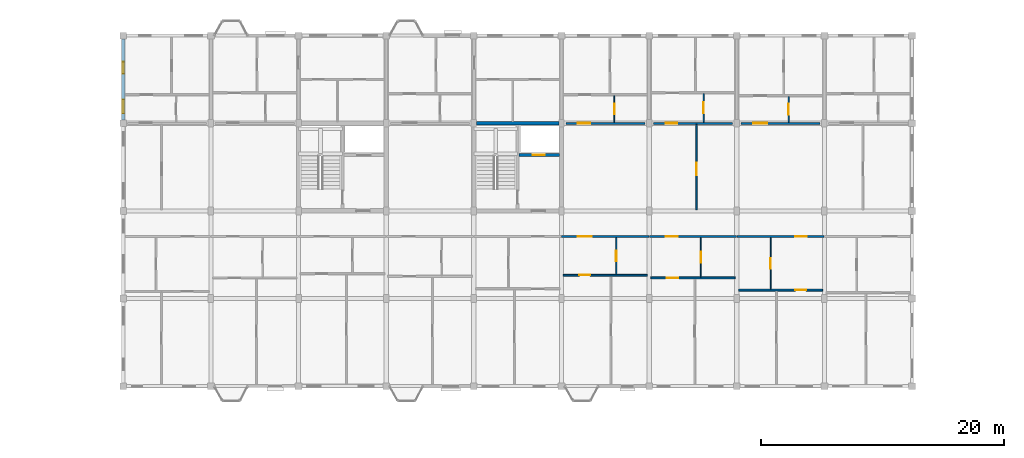
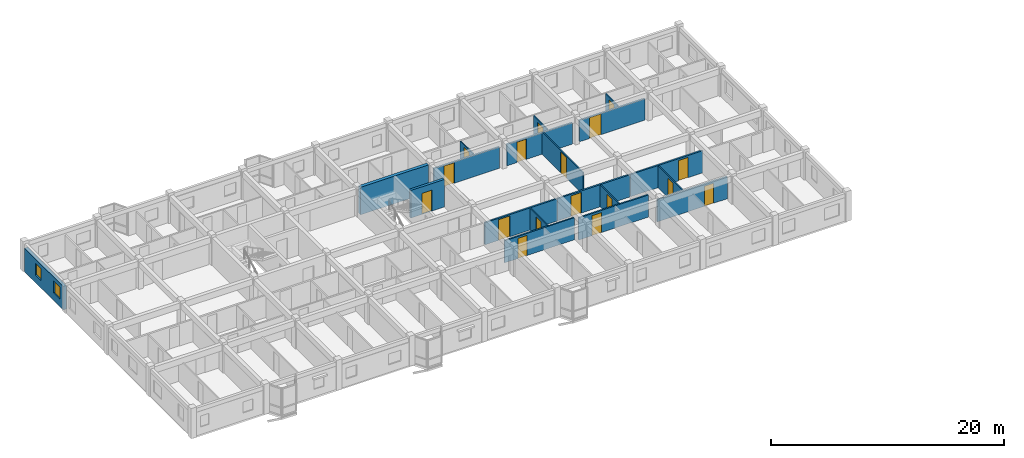
# One storey, part 68 of 77: 19 walls, 17 doors, 2 windows, 19 openings.
"""IFC4 building model written with IfcOpenShell, lengths in metres."""

from ifc_helpers import new_model, si_unit, direction, frame, frame_2d, origin, place, context, subcontext, project, spatial, rectangle, extrude, material, layer, layer_set, type_object, element, fill, save


model = new_model("IFC4")

# Units and contexts
model_context = context("Model", 3, precision=1e-05, world=origin(), true_north=direction((0.0, 1.0)))
body_context = subcontext(model_context, "Body", "Model", "MODEL_VIEW")
ifc_project = project(units=[si_unit("LENGTHUNIT", "METRE"), si_unit("AREAUNIT", "SQUARE_METRE"), si_unit("VOLUMEUNIT", "CUBIC_METRE"), si_unit("PLANEANGLEUNIT", "RADIAN"), si_unit("MASSUNIT", "GRAM", prefix="KILO"), si_unit("THERMODYNAMICTEMPERATUREUNIT", "KELVIN"), si_unit("POWERUNIT", "WATT")], contexts=[model_context])

# Site, building, storey
site_placement = place(None, origin())
site = spatial("IfcSite", under=ifc_project, at=site_placement, CompositionType="ELEMENT")
building_placement = place(site_placement, origin())
building = spatial("IfcBuilding", under=site, at=building_placement, Name="Tavuni Mirador Residences", CompositionType="ELEMENT")
storey_placement = place(building_placement, frame((0.0, 0.0, 17.10009765625)))
storey = spatial("IfcBuildingStorey", under=building, at=storey_placement, Name="L05", CompositionType="ELEMENT", Elevation=17.10009765625)

# Wall, opening, door
ifc_material_1 = material(Name="Precast concrete C40/50", Category="concrete")
ifc_layer_1 = layer(ifc_material_1, 0.25, Name="Precast concrete C40/50", Category="concrete")
ifc_layer_set_1 = layer_set([ifc_layer_1], Name="Precast concrete C40/50")
wall_type_1 = type_object("IfcWallType", Name="WT-COR250", PredefinedType="SHEAR", material=ifc_layer_set_1)
wall_1_placement = place(storey_placement, frame((43.324951171875, 163.0, 0.0), z_axis=(0.0, 0.0, 1.0), x_axis=(1.0, 0.0, 0.0)))
wall_1 = element("IfcWall", 1, at=wall_1_placement, inside=storey, type_object=wall_type_1, Name="CWALL-C6-L05-SHF", PredefinedType="SHEAR", context=body_context, shape_type="SweptSolid", body=[
    extrude(rectangle(XDim=3.31494140625, YDim=0.25, at=frame_2d((1.657470703125, 0.0))), origin(), (0.0, 0.0, 1.0), 2.885009765625),
])
opening_1_placement = place(wall_1_placement, frame((1.10009765625, 0.0, 0.0)))
opening_1 = element("IfcOpeningElement", 2, at=opening_1_placement, cuts=wall_1, Name="Opening LD-02", PredefinedType="OPENING", context=body_context, shape_type="SweptSolid", body=[
    extrude(rectangle(XDim=1.0, YDim=2.199951171875, at=frame_2d((0.5, 1.10009765625))), frame((0.0, 0.135009765625, 0.0), z_axis=(0.0, -1.0, 0.0), x_axis=(1.0, 0.0, 0.0)), (0.0, 0.0, 1.0), 0.27001953125),
])
ifc_material_2 = material(Name="Structural steel S355", Category="steel")
door_type_1 = type_object("IfcDoorType", Name="DT-LD-PAX", OperationType="SLIDING_TO_LEFT", PredefinedType="DOOR", material=ifc_material_2)
door_1_placement = place(opening_1_placement, origin())
door_1 = element("IfcDoor", 3, at=door_1_placement, inside=storey, type_object=door_type_1, Name="Lift landing door PL-C1 L05", OperationType="SLIDING_TO_LEFT", OverallHeight=2.199951171875, OverallWidth=1.0, PredefinedType="DOOR", context=body_context, shape_type="SweptSolid", body=[
    extrude(rectangle(XDim=1.0, YDim=2.199951171875, at=frame_2d((0.5, 1.10009765625))), frame((0.0, 0.02490234375, 0.0), z_axis=(0.0, -1.0, 0.0), x_axis=(1.0, 0.0, 0.0)), (0.0, 0.0, 1.0), 0.050048828125),
])
fill(opening_1, door_1)

# Wall
ifc_layer_2 = layer(ifc_material_1, 0.320068359375, Name="Precast concrete C40/50", Category="concrete")
ifc_layer_set_2 = layer_set([ifc_layer_2], Name="Precast concrete C40/50")
wall_type_2 = type_object("IfcWallType", Name="WT-COR320", PredefinedType="SHEAR", material=ifc_layer_set_2)
wall_2_placement = place(storey_placement, frame((39.824951171875, 165.60009765625, 0.0), z_axis=(0.0, 0.0, 1.0), x_axis=(1.0, 0.0, 0.0)))
element("IfcWall", 4, at=wall_2_placement, inside=storey, type_object=wall_type_2, Name="CWALL-C6-L05-N", PredefinedType="SHEAR", context=body_context, shape_type="SweptSolid", body=[
    extrude(rectangle(XDim=6.75, YDim=0.320068359375, at=frame_2d((3.375, 0.0))), origin(), (0.0, 0.0, 1.0), 2.885009765625),
])

# Wall, opening, door
ifc_layer_3 = layer(ifc_material_1, 0.1650390625, Name="Precast concrete C40/50", Category="concrete")
ifc_layer_set_3 = layer_set([ifc_layer_3], Name="Precast concrete C40/50")
wall_type_3 = type_object("IfcWallType", Name="WT-CORR165", PredefinedType="PARTITIONING", material=ifc_layer_set_3)
wall_3_placement = place(storey_placement, frame((46.820068359375, 156.300048828125, 0.0), z_axis=(0.0, 0.0, 1.0), x_axis=(1.0, 0.0, 0.0)))
wall_3 = element("IfcWall", 5, at=wall_3_placement, inside=storey, type_object=wall_type_3, Name="CORW-BLK-C-L05-0-05", PredefinedType="PARTITIONING", context=body_context, shape_type="SweptSolid", body=[
    extrude(rectangle(XDim=7.159912109375, YDim=0.1650390625, at=frame_2d((3.580078125, 0.0))), origin(), (0.0, 0.0, 1.0), 2.31982421875),
])
opening_2_placement = place(wall_3_placement, frame((1.330078125, 0.0, 0.0)))
opening_2 = element("IfcOpeningElement", 6, at=opening_2_placement, cuts=wall_3, Name="Opening D-20", PredefinedType="OPENING", context=body_context, shape_type="SweptSolid", body=[
    extrude(rectangle(XDim=1.139892578125, YDim=2.179931640625, at=frame_2d((0.56982421875, 1.08984375))), frame((0.0, 0.092529296875, 0.0), z_axis=(0.0, -1.0, 0.0), x_axis=(1.0, 0.0, 0.0)), (0.0, 0.0, 1.0), 0.18505859375),
])
ifc_material_3 = material(Name="Solid core iroko timber", Category="wood")
door_type_2 = type_object("IfcDoorType", Name="DT-FD60-1140", OperationType="NOTDEFINED", PredefinedType="DOOR", material=ifc_material_3)
door_2_placement = place(opening_2_placement, origin())
door_2 = element("IfcDoor", 7, at=door_2_placement, inside=storey, type_object=door_type_2, Name="DR-2696", OperationType="SINGLE_SWING_LEFT", OverallHeight=2.179931640625, OverallWidth=1.139892578125, PredefinedType="DOOR", context=body_context, shape_type="SweptSolid", body=[
    extrude(rectangle(XDim=1.139892578125, YDim=2.179931640625, at=frame_2d((0.56982421875, 1.08984375))), frame((0.0, 0.02490234375, 0.0), z_axis=(0.0, -1.0, 0.0), x_axis=(1.0, 0.0, 0.0)), (0.0, 0.0, 1.0), 0.050048828125),
])
fill(opening_2, door_2)

wall_4_placement = place(storey_placement, frame((54.02001953125, 156.300048828125, 0.0), z_axis=(0.0, 0.0, 1.0), x_axis=(1.0, 0.0, 0.0)))
wall_4 = element("IfcWall", 8, at=wall_4_placement, inside=storey, type_object=wall_type_3, Name="CORW-BLK-C-L05-0-06", PredefinedType="PARTITIONING", context=body_context, shape_type="SweptSolid", body=[
    extrude(rectangle(XDim=7.159912109375, YDim=0.1650390625, at=frame_2d((3.580078125, 0.0))), origin(), (0.0, 0.0, 1.0), 2.31982421875),
])
opening_3_placement = place(wall_4_placement, frame((1.330078125, 0.0, 0.0)))
opening_3 = element("IfcOpeningElement", 9, at=opening_3_placement, cuts=wall_4, Name="Opening D-03", PredefinedType="OPENING", context=body_context, shape_type="SweptSolid", body=[
    extrude(rectangle(XDim=1.0, YDim=2.14990234375, at=frame_2d((0.5, 1.074951171875))), frame((0.0, 0.092529296875, 0.0), z_axis=(0.0, -1.0, 0.0), x_axis=(1.0, 0.0, 0.0)), (0.0, 0.0, 1.0), 0.18505859375),
])
door_type_3 = type_object("IfcDoorType", Name="DT-FD60-1000", OperationType="NOTDEFINED", PredefinedType="DOOR", material=ifc_material_3)
door_3_placement = place(opening_3_placement, origin())
door_3 = element("IfcDoor", 10, at=door_3_placement, inside=storey, type_object=door_type_3, Name="DR-2697", OperationType="SINGLE_SWING_RIGHT", OverallHeight=2.14990234375, OverallWidth=1.0, PredefinedType="DOOR", context=body_context, shape_type="SweptSolid", body=[
    extrude(rectangle(XDim=1.0, YDim=2.14990234375, at=frame_2d((0.5, 1.074951171875))), frame((0.0, 0.02490234375, 0.0), z_axis=(0.0, -1.0, 0.0), x_axis=(1.0, 0.0, 0.0)), (0.0, 0.0, 1.0), 0.050048828125),
])
fill(opening_3, door_3)

wall_5_placement = place(storey_placement, frame((61.219970703125, 156.300048828125, 0.0), z_axis=(0.0, 0.0, 1.0), x_axis=(1.0, 0.0, 0.0)))
wall_5 = element("IfcWall", 11, at=wall_5_placement, inside=storey, type_object=wall_type_3, Name="CORW-BLK-C-L05-0-07", PredefinedType="PARTITIONING", context=body_context, shape_type="SweptSolid", body=[
    extrude(rectangle(XDim=7.159912109375, YDim=0.1650390625, at=frame_2d((3.580078125, 0.0))), origin(), (0.0, 0.0, 1.0), 2.31982421875),
])
opening_4_placement = place(wall_5_placement, frame((4.780029296875, 0.0, 0.0)))
opening_4 = element("IfcOpeningElement", 12, at=opening_4_placement, cuts=wall_5, Name="Opening D-19", PredefinedType="OPENING", context=body_context, shape_type="SweptSolid", body=[
    extrude(rectangle(XDim=0.93994140625, YDim=2.1201171875, at=frame_2d((0.469970703125, 1.06005859375))), frame((0.0, 0.092529296875, 0.0), z_axis=(0.0, -1.0, 0.0), x_axis=(1.0, 0.0, 0.0)), (0.0, 0.0, 1.0), 0.18505859375),
])
door_type_4 = type_object("IfcDoorType", Name="DT-FD60-940", OperationType="NOTDEFINED", PredefinedType="DOOR", material=ifc_material_3)
door_4_placement = place(opening_4_placement, origin())
door_4 = element("IfcDoor", 13, at=door_4_placement, inside=storey, type_object=door_type_4, Name="DR-2698", OperationType="SINGLE_SWING_LEFT", OverallHeight=2.1201171875, OverallWidth=0.93994140625, PredefinedType="DOOR", context=body_context, shape_type="SweptSolid", body=[
    extrude(rectangle(XDim=0.93994140625, YDim=2.1201171875, at=frame_2d((0.469970703125, 1.06005859375))), frame((0.0, 0.02490234375, 0.0), z_axis=(0.0, -1.0, 0.0), x_axis=(1.0, 0.0, 0.0)), (0.0, 0.0, 1.0), 0.050048828125),
])
fill(opening_4, door_4)

wall_6_placement = place(storey_placement, frame((47.14990234375, 165.60009765625, 0.0), z_axis=(0.0, 0.0, 1.0), x_axis=(1.0, 0.0, 0.0)))
wall_6 = element("IfcWall", 14, at=wall_6_placement, inside=storey, type_object=wall_type_3, Name="CORW-BLK-C-L05-1-05", PredefinedType="PARTITIONING", context=body_context, shape_type="SweptSolid", body=[
    extrude(rectangle(XDim=6.5, YDim=0.1650390625, at=frame_2d((3.25, 0.0))), origin(), (0.0, 0.0, 1.0), 2.23486328125),
])
opening_5_placement = place(wall_6_placement, frame((1.0, 0.0, 0.0)))
opening_5 = element("IfcOpeningElement", 15, at=opening_5_placement, cuts=wall_6, Name="Opening D-03", PredefinedType="OPENING", context=body_context, shape_type="SweptSolid", body=[
    extrude(rectangle(XDim=1.0, YDim=2.14990234375, at=frame_2d((0.5, 1.074951171875))), frame((0.0, 0.092529296875, 0.0), z_axis=(0.0, -1.0, 0.0), x_axis=(1.0, 0.0, 0.0)), (0.0, 0.0, 1.0), 0.18505859375),
])
door_5_placement = place(opening_5_placement, origin())
door_5 = element("IfcDoor", 16, at=door_5_placement, inside=storey, type_object=door_type_3, Name="DR-2703", OperationType="SINGLE_SWING_RIGHT", OverallHeight=2.14990234375, OverallWidth=1.0, PredefinedType="DOOR", context=body_context, shape_type="SweptSolid", body=[
    extrude(rectangle(XDim=1.0, YDim=2.14990234375, at=frame_2d((0.5, 1.074951171875))), frame((0.0, 0.02490234375, 0.0), z_axis=(0.0, -1.0, 0.0), x_axis=(1.0, 0.0, 0.0)), (0.0, 0.0, 1.0), 0.050048828125),
])
fill(opening_5, door_5)

wall_7_placement = place(storey_placement, frame((54.35009765625, 165.60009765625, 0.0), z_axis=(0.0, 0.0, 1.0), x_axis=(1.0, 0.0, 0.0)))
wall_7 = element("IfcWall", 17, at=wall_7_placement, inside=storey, type_object=wall_type_3, Name="CORW-BLK-C-L05-1-06", PredefinedType="PARTITIONING", context=body_context, shape_type="SweptSolid", body=[
    extrude(rectangle(XDim=6.5, YDim=0.1650390625, at=frame_2d((3.25, 0.0))), origin(), (0.0, 0.0, 1.0), 2.23486328125),
])
opening_6_placement = place(wall_7_placement, frame((1.0, 0.0, 0.0)))
opening_6 = element("IfcOpeningElement", 18, at=opening_6_placement, cuts=wall_7, Name="Opening D-19", PredefinedType="OPENING", context=body_context, shape_type="SweptSolid", body=[
    extrude(rectangle(XDim=0.93994140625, YDim=2.1201171875, at=frame_2d((0.469970703125, 1.06005859375))), frame((0.0, 0.092529296875, 0.0), z_axis=(0.0, -1.0, 0.0), x_axis=(1.0, 0.0, 0.0)), (0.0, 0.0, 1.0), 0.18505859375),
])
door_6_placement = place(opening_6_placement, origin())
door_6 = element("IfcDoor", 19, at=door_6_placement, inside=storey, type_object=door_type_4, Name="DR-2704", OperationType="SINGLE_SWING_LEFT", OverallHeight=2.1201171875, OverallWidth=0.93994140625, PredefinedType="DOOR", context=body_context, shape_type="SweptSolid", body=[
    extrude(rectangle(XDim=0.93994140625, YDim=2.1201171875, at=frame_2d((0.469970703125, 1.06005859375))), frame((0.0, 0.02490234375, 0.0), z_axis=(0.0, -1.0, 0.0), x_axis=(1.0, 0.0, 0.0)), (0.0, 0.0, 1.0), 0.050048828125),
])
fill(opening_6, door_6)

wall_8_placement = place(storey_placement, frame((61.550048828125, 165.60009765625, 0.0), z_axis=(0.0, 0.0, 1.0), x_axis=(1.0, 0.0, 0.0)))
wall_8 = element("IfcWall", 20, at=wall_8_placement, inside=storey, type_object=wall_type_3, Name="CORW-BLK-C-L05-1-07", PredefinedType="PARTITIONING", context=body_context, shape_type="SweptSolid", body=[
    extrude(rectangle(XDim=6.5, YDim=0.1650390625, at=frame_2d((3.25, 0.0))), origin(), (0.0, 0.0, 1.0), 2.23486328125),
])
opening_7_placement = place(wall_8_placement, frame((1.0, 0.0, 0.0)))
opening_7 = element("IfcOpeningElement", 21, at=opening_7_placement, cuts=wall_8, Name="Opening D-20", PredefinedType="OPENING", context=body_context, shape_type="SweptSolid", body=[
    extrude(rectangle(XDim=1.139892578125, YDim=2.179931640625, at=frame_2d((0.56982421875, 1.08984375))), frame((0.0, 0.092529296875, 0.0), z_axis=(0.0, -1.0, 0.0), x_axis=(1.0, 0.0, 0.0)), (0.0, 0.0, 1.0), 0.18505859375),
])
door_7_placement = place(opening_7_placement, origin())
door_7 = element("IfcDoor", 22, at=door_7_placement, inside=storey, type_object=door_type_2, Name="DR-2705", OperationType="SINGLE_SWING_RIGHT", OverallHeight=2.179931640625, OverallWidth=1.139892578125, PredefinedType="DOOR", context=body_context, shape_type="SweptSolid", body=[
    extrude(rectangle(XDim=1.139892578125, YDim=2.179931640625, at=frame_2d((0.56982421875, 1.08984375))), frame((0.0, 0.02490234375, 0.0), z_axis=(0.0, -1.0, 0.0), x_axis=(1.0, 0.0, 0.0)), (0.0, 0.0, 1.0), 0.050048828125),
])
fill(opening_7, door_7)

# Wall, openings, windows
ifc_material_4 = material(Name="Sgraffito lime-rendered precast concrete C40/50", Category="concrete")
ifc_layer_4 = layer(ifc_material_4, 0.31494140625, Name="Sgraffito lime-rendered precast concrete C40/50", Category="concrete")
ifc_layer_set_4 = layer_set([ifc_layer_4], Name="Sgraffito lime-rendered precast concrete C40/50")
wall_type_4 = type_object("IfcWallType", Name="WT-EXT-PC315", PredefinedType="SOLIDWALL", material=ifc_layer_set_4)
wall_9_placement = place(storey_placement, frame((10.800048828125, 172.52490234375, 0.0), z_axis=(0.0, 0.0, 1.0), x_axis=(0.0, -1.0, 0.0)))
wall_9 = element("IfcWall", 23, at=wall_9_placement, inside=storey, type_object=wall_type_4, Name="EW-BLK-C-L05-W03", PredefinedType="SOLIDWALL", context=body_context, shape_type="SweptSolid", body=[
    extrude(rectangle(XDim=6.64990234375, YDim=0.31494140625, at=frame_2d((3.324951171875, 0.0))), origin(), (0.0, 0.0, 1.0), 2.454833984375),
])
opening_8_placement = place(wall_9_placement, frame((1.882568359375, 0.0, 0.780029296875)))
opening_8 = element("IfcOpeningElement", 24, at=opening_8_placement, cuts=wall_9, Name="Opening WN-10", PredefinedType="OPENING", context=body_context, shape_type="SweptSolid", body=[
    extrude(rectangle(XDim=0.9599609375, YDim=1.260009765625, at=frame_2d((0.47998046875, 0.6298828125))), frame((0.0, 0.16748046875, 0.0), z_axis=(0.0, -1.0, 0.0), x_axis=(1.0, 0.0, 0.0)), (0.0, 0.0, 1.0), 0.3349609375),
])
opening_9_placement = place(wall_9_placement, frame((4.987548828125, 0.0, 0.780029296875)))
opening_9 = element("IfcOpeningElement", 25, at=opening_9_placement, cuts=wall_9, Name="Opening WN-12", PredefinedType="OPENING", context=body_context, shape_type="SweptSolid", body=[
    extrude(rectangle(XDim=1.1201171875, YDim=1.260009765625, at=frame_2d((0.56005859375, 0.6298828125))), frame((0.0, 0.16748046875, 0.0), z_axis=(0.0, -1.0, 0.0), x_axis=(1.0, 0.0, 0.0)), (0.0, 0.0, 1.0), 0.3349609375),
])
ifc_material_5 = material(Name="Laminated solar-control glass", Category="glass")
window_type_1 = type_object("IfcWindowType", Name="WNT-10", PartitioningType="SINGLE_PANEL", PredefinedType="WINDOW", material=ifc_material_5)
window_1_placement = place(opening_8_placement, origin())
window_1 = element("IfcWindow", 26, at=window_1_placement, inside=storey, type_object=window_type_1, Name="WIN-1084", OverallHeight=1.260009765625, OverallWidth=0.9599609375, PartitioningType="SINGLE_PANEL", PredefinedType="WINDOW", context=body_context, shape_type="SweptSolid", body=[
    extrude(rectangle(XDim=0.9599609375, YDim=1.260009765625, at=frame_2d((0.47998046875, 0.6298828125))), frame((0.0, 0.030029296875, 0.0), z_axis=(0.0, -1.0, 0.0), x_axis=(1.0, 0.0, 0.0)), (0.0, 0.0, 1.0), 0.06005859375),
])
fill(opening_8, window_1)
window_type_2 = type_object("IfcWindowType", Name="WNT-12", PartitioningType="SINGLE_PANEL", PredefinedType="WINDOW", material=ifc_material_5)
window_2_placement = place(opening_9_placement, origin())
window_2 = element("IfcWindow", 27, at=window_2_placement, inside=storey, type_object=window_type_2, Name="WIN-1085", OverallHeight=1.260009765625, OverallWidth=1.1201171875, PartitioningType="SINGLE_PANEL", PredefinedType="WINDOW", context=body_context, shape_type="SweptSolid", body=[
    extrude(rectangle(XDim=1.1201171875, YDim=1.260009765625, at=frame_2d((0.56005859375, 0.6298828125))), frame((0.0, 0.030029296875, 0.0), z_axis=(0.0, -1.0, 0.0), x_axis=(1.0, 0.0, 0.0)), (0.0, 0.0, 1.0), 0.06005859375),
])
fill(opening_9, window_2)

# Wall, opening, door
ifc_material_6 = material(Name="Acoustic gypsum and concrete block partition", Category="concrete")
ifc_layer_5 = layer(ifc_material_6, 0.094970703125, Name="Acoustic gypsum and concrete block partition", Category="concrete")
ifc_layer_set_5 = layer_set([ifc_layer_5], Name="Acoustic gypsum and concrete block partition")
wall_type_5 = type_object("IfcWallType", Name="WT-PART095", PredefinedType="PARTITIONING", material=ifc_layer_set_5)
wall_10_placement = place(storey_placement, frame((51.139892578125, 165.68994140625, 0.0), z_axis=(0.0, 0.0, 1.0), x_axis=(0.0, 1.0, 0.0)))
wall_10 = element("IfcWall", 28, at=wall_10_placement, inside=storey, type_object=wall_type_5, Name="PW-BLK-C-L05-N05-IN1", PredefinedType="PARTITIONING", context=body_context, shape_type="SweptSolid", body=[
    extrude(rectangle(XDim=2.18017578125, YDim=0.094970703125, at=frame_2d((1.090087890625, 0.0))), origin(), (0.0, 0.0, 1.0), 2.31982421875),
])
opening_10_placement = place(wall_10_placement, frame((0.655029296875, 0.0, 0.0)))
opening_10 = element("IfcOpeningElement", 29, at=opening_10_placement, cuts=wall_10, Name="Opening D-10", PredefinedType="OPENING", context=body_context, shape_type="SweptSolid", body=[
    extrude(rectangle(XDim=0.8701171875, YDim=2.050048828125, at=frame_2d((0.43505859375, 1.02490234375))), frame((0.0, 0.0576171875, 0.0), z_axis=(0.0, -1.0, 0.0), x_axis=(1.0, 0.0, 0.0)), (0.0, 0.0, 1.0), 0.114990234375),
])
door_type_5 = type_object("IfcDoorType", Name="DT-WC870", OperationType="NOTDEFINED", PredefinedType="DOOR", material=ifc_material_3)
door_8_placement = place(opening_10_placement, origin())
door_8 = element("IfcDoor", 30, at=door_8_placement, inside=storey, type_object=door_type_5, Name="DR-3939", OperationType="SINGLE_SWING_RIGHT", OverallHeight=2.050048828125, OverallWidth=0.8701171875, PredefinedType="DOOR", context=body_context, shape_type="SweptSolid", body=[
    extrude(rectangle(XDim=0.8701171875, YDim=2.050048828125, at=frame_2d((0.43505859375, 1.02490234375))), frame((0.0, 0.02490234375, 0.0), z_axis=(0.0, -1.0, 0.0), x_axis=(1.0, 0.0, 0.0)), (0.0, 0.0, 1.0), 0.050048828125),
])
fill(opening_10, door_8)

wall_11_placement = place(storey_placement, frame((58.25, 152.969970703125, 0.0), z_axis=(0.0, 0.0, 1.0), x_axis=(0.0, 1.0, 0.0)))
wall_11 = element("IfcWall", 31, at=wall_11_placement, inside=storey, type_object=wall_type_5, Name="PW-BLK-C-L05-S06-IN1", PredefinedType="PARTITIONING", context=body_context, shape_type="SweptSolid", body=[
    extrude(rectangle(XDim=3.239990234375, YDim=0.094970703125, at=frame_2d((1.6201171875, 0.0))), origin(), (0.0, 0.0, 1.0), 2.31982421875),
])
opening_11_placement = place(wall_11_placement, frame((1.169921875, 0.0, 0.0)))
opening_11 = element("IfcOpeningElement", 32, at=opening_11_placement, cuts=wall_11, Name="Opening D-09", PredefinedType="OPENING", context=body_context, shape_type="SweptSolid", body=[
    extrude(rectangle(XDim=0.89990234375, YDim=2.050048828125, at=frame_2d((0.449951171875, 1.02490234375))), frame((0.0, 0.0576171875, 0.0), z_axis=(0.0, -1.0, 0.0), x_axis=(1.0, 0.0, 0.0)), (0.0, 0.0, 1.0), 0.114990234375),
])
door_type_6 = type_object("IfcDoorType", Name="DT-WC900", OperationType="NOTDEFINED", PredefinedType="DOOR", material=ifc_material_3)
door_9_placement = place(opening_11_placement, origin())
door_9 = element("IfcDoor", 33, at=door_9_placement, inside=storey, type_object=door_type_6, Name="DR-3943", OperationType="SINGLE_SWING_LEFT", OverallHeight=2.050048828125, OverallWidth=0.89990234375, PredefinedType="DOOR", context=body_context, shape_type="SweptSolid", body=[
    extrude(rectangle(XDim=0.89990234375, YDim=2.050048828125, at=frame_2d((0.449951171875, 1.02490234375))), frame((0.0, 0.02490234375, 0.0), z_axis=(0.0, -1.0, 0.0), x_axis=(1.0, 0.0, 0.0)), (0.0, 0.0, 1.0), 0.050048828125),
])
fill(opening_11, door_9)

wall_12_placement = place(storey_placement, frame((63.97998046875, 151.9599609375, 0.0), z_axis=(0.0, 0.0, 1.0), x_axis=(0.0, 1.0, 0.0)))
wall_12 = element("IfcWall", 34, at=wall_12_placement, inside=storey, type_object=wall_type_5, Name="PW-BLK-C-L05-S07-IN1", PredefinedType="PARTITIONING", context=body_context, shape_type="SweptSolid", body=[
    extrude(rectangle(XDim=4.25, YDim=0.094970703125, at=frame_2d((2.125, 0.0))), origin(), (0.0, 0.0, 1.0), 2.31982421875),
])
opening_12_placement = place(wall_12_placement, frame((1.68994140625, 0.0, 0.0)))
opening_12 = element("IfcOpeningElement", 35, at=opening_12_placement, cuts=wall_12, Name="Opening D-10", PredefinedType="OPENING", context=body_context, shape_type="SweptSolid", body=[
    extrude(rectangle(XDim=0.8701171875, YDim=2.050048828125, at=frame_2d((0.43505859375, 1.02490234375))), frame((0.0, 0.0576171875, 0.0), z_axis=(0.0, -1.0, 0.0), x_axis=(1.0, 0.0, 0.0)), (0.0, 0.0, 1.0), 0.114990234375),
])
door_10_placement = place(opening_12_placement, origin())
door_10 = element("IfcDoor", 36, at=door_10_placement, inside=storey, type_object=door_type_5, Name="DR-3949", OperationType="SINGLE_SWING_RIGHT", OverallHeight=2.050048828125, OverallWidth=0.8701171875, PredefinedType="DOOR", context=body_context, shape_type="SweptSolid", body=[
    extrude(rectangle(XDim=0.8701171875, YDim=2.050048828125, at=frame_2d((0.43505859375, 1.02490234375))), frame((0.0, 0.02490234375, 0.0), z_axis=(0.0, -1.0, 0.0), x_axis=(1.0, 0.0, 0.0)), (0.0, 0.0, 1.0), 0.050048828125),
])
fill(opening_12, door_10)

ifc_layer_6 = layer(ifc_material_6, 0.10498046875, Name="Acoustic gypsum and concrete block partition", Category="concrete")
ifc_layer_set_6 = layer_set([ifc_layer_6], Name="Acoustic gypsum and concrete block partition")
wall_type_6 = type_object("IfcWallType", Name="WT-PART105", PredefinedType="PARTITIONING", material=ifc_layer_set_6)
wall_13_placement = place(storey_placement, frame((51.300048828125, 153.18994140625, 0.0), z_axis=(0.0, 0.0, 1.0), x_axis=(0.0, 1.0, 0.0)))
wall_13 = element("IfcWall", 37, at=wall_13_placement, inside=storey, type_object=wall_type_6, Name="PW-BLK-C-L05-S05-IN1", PredefinedType="PARTITIONING", context=body_context, shape_type="SweptSolid", body=[
    extrude(rectangle(XDim=3.02001953125, YDim=0.10498046875, at=frame_2d((1.510009765625, 0.0))), origin(), (0.0, 0.0, 1.0), 2.31982421875),
])
opening_13_placement = place(wall_13_placement, frame((1.074951171875, 0.0, 0.0)))
opening_13 = element("IfcOpeningElement", 38, at=opening_13_placement, cuts=wall_13, Name="Opening D-10", PredefinedType="OPENING", context=body_context, shape_type="SweptSolid", body=[
    extrude(rectangle(XDim=0.8701171875, YDim=2.050048828125, at=frame_2d((0.43505859375, 1.02490234375))), frame((0.0, 0.0625, 0.0), z_axis=(0.0, -1.0, 0.0), x_axis=(1.0, 0.0, 0.0)), (0.0, 0.0, 1.0), 0.125),
])
door_11_placement = place(opening_13_placement, origin())
door_11 = element("IfcDoor", 39, at=door_11_placement, inside=storey, type_object=door_type_5, Name="DR-3936", OperationType="SINGLE_SWING_RIGHT", OverallHeight=2.050048828125, OverallWidth=0.8701171875, PredefinedType="DOOR", context=body_context, shape_type="SweptSolid", body=[
    extrude(rectangle(XDim=0.8701171875, YDim=2.050048828125, at=frame_2d((0.43505859375, 1.02490234375))), frame((0.0, 0.02490234375, 0.0), z_axis=(0.0, -1.0, 0.0), x_axis=(1.0, 0.0, 0.0)), (0.0, 0.0, 1.0), 0.050048828125),
])
fill(opening_13, door_11)

wall_14_placement = place(storey_placement, frame((58.47998046875, 165.68994140625, 0.0), z_axis=(0.0, 0.0, 1.0), x_axis=(0.0, 1.0, 0.0)))
wall_14 = element("IfcWall", 40, at=wall_14_placement, inside=storey, type_object=wall_type_6, Name="PW-BLK-C-L05-N06-IN1", PredefinedType="PARTITIONING", context=body_context, shape_type="SweptSolid", body=[
    extrude(rectangle(XDim=2.340087890625, YDim=0.10498046875, at=frame_2d((1.169921875, 0.0))), origin(), (0.0, 0.0, 1.0), 2.31982421875),
])
opening_14_placement = place(wall_14_placement, frame((0.719970703125, 0.0, 0.0)))
opening_14 = element("IfcOpeningElement", 41, at=opening_14_placement, cuts=wall_14, Name="Opening D-09", PredefinedType="OPENING", context=body_context, shape_type="SweptSolid", body=[
    extrude(rectangle(XDim=0.89990234375, YDim=2.050048828125, at=frame_2d((0.449951171875, 1.02490234375))), frame((0.0, 0.0625, 0.0), z_axis=(0.0, -1.0, 0.0), x_axis=(1.0, 0.0, 0.0)), (0.0, 0.0, 1.0), 0.125),
])
door_12_placement = place(opening_14_placement, origin())
door_12 = element("IfcDoor", 42, at=door_12_placement, inside=storey, type_object=door_type_6, Name="DR-3946", OperationType="SINGLE_SWING_LEFT", OverallHeight=2.050048828125, OverallWidth=0.89990234375, PredefinedType="DOOR", context=body_context, shape_type="SweptSolid", body=[
    extrude(rectangle(XDim=0.89990234375, YDim=2.050048828125, at=frame_2d((0.449951171875, 1.02490234375))), frame((0.0, 0.02490234375, 0.0), z_axis=(0.0, -1.0, 0.0), x_axis=(1.0, 0.0, 0.0)), (0.0, 0.0, 1.0), 0.050048828125),
])
fill(opening_14, door_12)

wall_15_placement = place(storey_placement, frame((65.4599609375, 165.68994140625, 0.0), z_axis=(0.0, 0.0, 1.0), x_axis=(0.0, 1.0, 0.0)))
wall_15 = element("IfcWall", 43, at=wall_15_placement, inside=storey, type_object=wall_type_6, Name="PW-BLK-C-L05-N07-IN1", PredefinedType="PARTITIONING", context=body_context, shape_type="SweptSolid", body=[
    extrude(rectangle(XDim=2.10009765625, YDim=0.10498046875, at=frame_2d((1.050048828125, 0.0))), origin(), (0.0, 0.0, 1.0), 2.31982421875),
])
opening_15_placement = place(wall_15_placement, frame((0.60009765625, 0.0, 0.0)))
opening_15 = element("IfcOpeningElement", 44, at=opening_15_placement, cuts=wall_15, Name="Opening D-09", PredefinedType="OPENING", context=body_context, shape_type="SweptSolid", body=[
    extrude(rectangle(XDim=0.89990234375, YDim=2.050048828125, at=frame_2d((0.449951171875, 1.02490234375))), frame((0.0, 0.0625, 0.0), z_axis=(0.0, -1.0, 0.0), x_axis=(1.0, 0.0, 0.0)), (0.0, 0.0, 1.0), 0.125),
])
door_13_placement = place(opening_15_placement, origin())
door_13 = element("IfcDoor", 45, at=door_13_placement, inside=storey, type_object=door_type_6, Name="DR-3952", OperationType="SINGLE_SWING_LEFT", OverallHeight=2.050048828125, OverallWidth=0.89990234375, PredefinedType="DOOR", context=body_context, shape_type="SweptSolid", body=[
    extrude(rectangle(XDim=0.89990234375, YDim=2.050048828125, at=frame_2d((0.449951171875, 1.02490234375))), frame((0.0, 0.02490234375, 0.0), z_axis=(0.0, -1.0, 0.0), x_axis=(1.0, 0.0, 0.0)), (0.0, 0.0, 1.0), 0.050048828125),
])
fill(opening_15, door_13)

ifc_layer_7 = layer(ifc_material_6, 0.114990234375, Name="Acoustic gypsum and concrete block partition", Category="concrete")
ifc_layer_set_7 = layer_set([ifc_layer_7], Name="Acoustic gypsum and concrete block partition")
wall_type_7 = type_object("IfcWallType", Name="WT-PART115", PredefinedType="PARTITIONING", material=ifc_layer_set_7)
wall_16_placement = place(storey_placement, frame((57.89990234375, 158.489990234375, 0.0), z_axis=(0.0, 0.0, 1.0), x_axis=(0.0, 1.0, 0.0)))
wall_16 = element("IfcWall", 46, at=wall_16_placement, inside=storey, type_object=wall_type_7, Name="PW-SPN-BLK-C-L05-06", PredefinedType="PARTITIONING", context=body_context, shape_type="SweptSolid", body=[
    extrude(rectangle(XDim=7.02001953125, YDim=0.114990234375, at=frame_2d((3.510009765625, 0.0))), origin(), (0.0, 0.0, 1.0), 2.31982421875),
])
opening_16_placement = place(wall_16_placement, frame((2.85009765625, 0.0, 0.0)))
opening_16 = element("IfcOpeningElement", 47, at=opening_16_placement, cuts=wall_16, Name="Opening D-13", PredefinedType="OPENING", context=body_context, shape_type="SweptSolid", body=[
    extrude(rectangle(XDim=1.02001953125, YDim=2.14990234375, at=frame_2d((0.510009765625, 1.074951171875))), frame((0.0, 0.0673828125, 0.0), z_axis=(0.0, -1.0, 0.0), x_axis=(1.0, 0.0, 0.0)), (0.0, 0.0, 1.0), 0.135009765625),
])
door_type_7 = type_object("IfcDoorType", Name="DT-MTG1020", OperationType="NOTDEFINED", PredefinedType="DOOR", material=ifc_material_3)
door_14_placement = place(opening_16_placement, origin())
door_14 = element("IfcDoor", 48, at=door_14_placement, inside=storey, type_object=door_type_7, Name="DR-3941", OperationType="SINGLE_SWING_RIGHT", OverallHeight=2.14990234375, OverallWidth=1.02001953125, PredefinedType="DOOR", context=body_context, shape_type="SweptSolid", body=[
    extrude(rectangle(XDim=1.02001953125, YDim=2.14990234375, at=frame_2d((0.510009765625, 1.074951171875))), frame((0.0, 0.02490234375, 0.0), z_axis=(0.0, -1.0, 0.0), x_axis=(1.0, 0.0, 0.0)), (0.0, 0.0, 1.0), 0.050048828125),
])
fill(opening_16, door_14)

ifc_layer_8 = layer(ifc_material_6, 0.139892578125, Name="Acoustic gypsum and concrete block partition", Category="concrete")
ifc_layer_set_8 = layer_set([ifc_layer_8], Name="Acoustic gypsum and concrete block partition")
wall_type_8 = type_object("IfcWallType", Name="WT-PART140", PredefinedType="PARTITIONING", material=ifc_layer_set_8)
wall_17_placement = place(storey_placement, frame((46.93994140625, 153.1201171875, 0.0), z_axis=(0.0, 0.0, 1.0), x_axis=(1.0, 0.0, 0.0)))
wall_17 = element("IfcWall", 49, at=wall_17_placement, inside=storey, type_object=wall_type_8, Name="PW-BLK-C-L05-S05-MID", PredefinedType="PARTITIONING", context=body_context, shape_type="SweptSolid", body=[
    extrude(rectangle(XDim=6.920166015625, YDim=0.139892578125, at=frame_2d((3.4599609375, 0.0))), origin(), (0.0, 0.0, 1.0), 2.31982421875),
])
opening_17_placement = place(wall_17_placement, frame((1.31005859375, 0.0, 0.0)))
opening_17 = element("IfcOpeningElement", 50, at=opening_17_placement, cuts=wall_17, Name="Opening D-06", PredefinedType="OPENING", context=body_context, shape_type="SweptSolid", body=[
    extrude(rectangle(XDim=0.919921875, YDim=2.10009765625, at=frame_2d((0.4599609375, 1.050048828125))), frame((0.0, 0.080078125, 0.0), z_axis=(0.0, -1.0, 0.0), x_axis=(1.0, 0.0, 0.0)), (0.0, 0.0, 1.0), 0.159912109375),
])
door_type_8 = type_object("IfcDoorType", Name="DT-INT920", OperationType="NOTDEFINED", PredefinedType="DOOR", material=ifc_material_3)
door_15_placement = place(opening_17_placement, origin())
door_15 = element("IfcDoor", 51, at=door_15_placement, inside=storey, type_object=door_type_8, Name="DR-3937", OperationType="SINGLE_SWING_RIGHT", OverallHeight=2.10009765625, OverallWidth=0.919921875, PredefinedType="DOOR", context=body_context, shape_type="SweptSolid", body=[
    extrude(rectangle(XDim=0.919921875, YDim=2.10009765625, at=frame_2d((0.4599609375, 1.050048828125))), frame((0.0, 0.02490234375, 0.0), z_axis=(0.0, -1.0, 0.0), x_axis=(1.0, 0.0, 0.0)), (0.0, 0.0, 1.0), 0.050048828125),
])
fill(opening_17, door_15)

ifc_layer_9 = layer(ifc_material_6, 0.14990234375, Name="Acoustic gypsum and concrete block partition", Category="concrete")
ifc_layer_set_9 = layer_set([ifc_layer_9], Name="Acoustic gypsum and concrete block partition")
wall_type_9 = type_object("IfcWallType", Name="WT-PART150", PredefinedType="PARTITIONING", material=ifc_layer_set_9)
wall_18_placement = place(storey_placement, frame((54.139892578125, 152.89990234375, 0.0), z_axis=(0.0, 0.0, 1.0), x_axis=(1.0, 0.0, 0.0)))
wall_18 = element("IfcWall", 52, at=wall_18_placement, inside=storey, type_object=wall_type_9, Name="PW-BLK-C-L05-S06-MID", PredefinedType="PARTITIONING", context=body_context, shape_type="SweptSolid", body=[
    extrude(rectangle(XDim=6.920166015625, YDim=0.14990234375, at=frame_2d((3.4599609375, 0.0))), origin(), (0.0, 0.0, 1.0), 2.31982421875),
])
opening_18_placement = place(wall_18_placement, frame((1.31005859375, 0.0, 0.0)))
opening_18 = element("IfcOpeningElement", 53, at=opening_18_placement, cuts=wall_18, Name="Opening D-05", PredefinedType="OPENING", context=body_context, shape_type="SweptSolid", body=[
    extrude(rectangle(XDim=0.949951171875, YDim=2.10009765625, at=frame_2d((0.47509765625, 1.050048828125))), frame((0.0, 0.0849609375, 0.0), z_axis=(0.0, -1.0, 0.0), x_axis=(1.0, 0.0, 0.0)), (0.0, 0.0, 1.0), 0.169921875),
])
door_type_9 = type_object("IfcDoorType", Name="DT-INT950", OperationType="NOTDEFINED", PredefinedType="DOOR", material=ifc_material_3)
door_16_placement = place(opening_18_placement, origin())
door_16 = element("IfcDoor", 54, at=door_16_placement, inside=storey, type_object=door_type_9, Name="DR-3944", OperationType="SINGLE_SWING_LEFT", OverallHeight=2.10009765625, OverallWidth=0.949951171875, PredefinedType="DOOR", context=body_context, shape_type="SweptSolid", body=[
    extrude(rectangle(XDim=0.949951171875, YDim=2.10009765625, at=frame_2d((0.47509765625, 1.050048828125))), frame((0.0, 0.02490234375, 0.0), z_axis=(0.0, -1.0, 0.0), x_axis=(1.0, 0.0, 0.0)), (0.0, 0.0, 1.0), 0.050048828125),
])
fill(opening_18, door_16)

wall_19_placement = place(storey_placement, frame((61.340087890625, 151.889892578125, 0.0), z_axis=(0.0, 0.0, 1.0), x_axis=(1.0, 0.0, 0.0)))
wall_19 = element("IfcWall", 55, at=wall_19_placement, inside=storey, type_object=wall_type_9, Name="PW-BLK-C-L05-S07-MID", PredefinedType="PARTITIONING", context=body_context, shape_type="SweptSolid", body=[
    extrude(rectangle(XDim=6.919921875, YDim=0.14990234375, at=frame_2d((3.4599609375, 0.0))), origin(), (0.0, 0.0, 1.0), 2.31982421875),
])
opening_19_placement = place(wall_19_placement, frame((4.659912109375, 0.0, 0.0)))
opening_19 = element("IfcOpeningElement", 56, at=opening_19_placement, cuts=wall_19, Name="Opening D-06", PredefinedType="OPENING", context=body_context, shape_type="SweptSolid", body=[
    extrude(rectangle(XDim=0.919921875, YDim=2.10009765625, at=frame_2d((0.4599609375, 1.050048828125))), frame((0.0, 0.0849609375, 0.0), z_axis=(0.0, -1.0, 0.0), x_axis=(1.0, 0.0, 0.0)), (0.0, 0.0, 1.0), 0.169921875),
])
door_17_placement = place(opening_19_placement, origin())
door_17 = element("IfcDoor", 57, at=door_17_placement, inside=storey, type_object=door_type_8, Name="DR-3950", OperationType="SINGLE_SWING_RIGHT", OverallHeight=2.10009765625, OverallWidth=0.919921875, PredefinedType="DOOR", context=body_context, shape_type="SweptSolid", body=[
    extrude(rectangle(XDim=0.919921875, YDim=2.10009765625, at=frame_2d((0.4599609375, 1.050048828125))), frame((0.0, 0.02490234375, 0.0), z_axis=(0.0, -1.0, 0.0), x_axis=(1.0, 0.0, 0.0)), (0.0, 0.0, 1.0), 0.050048828125),
])
fill(opening_19, door_17)

save(model, "model.ifc")
